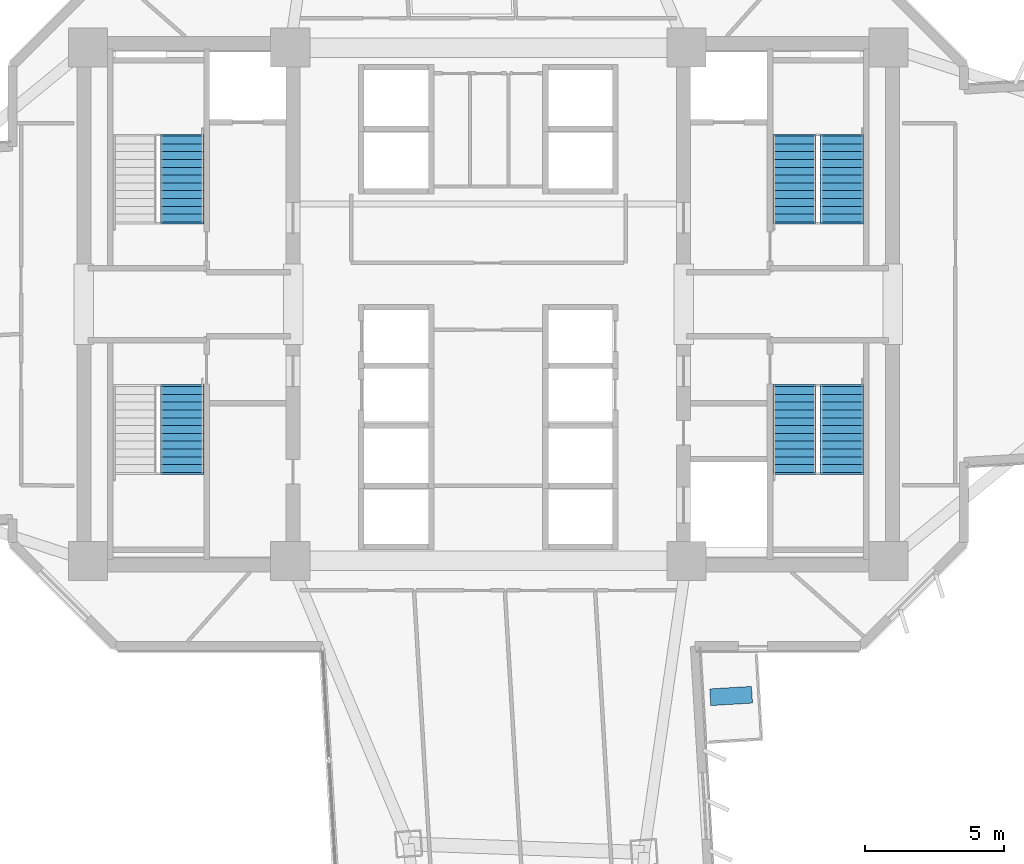
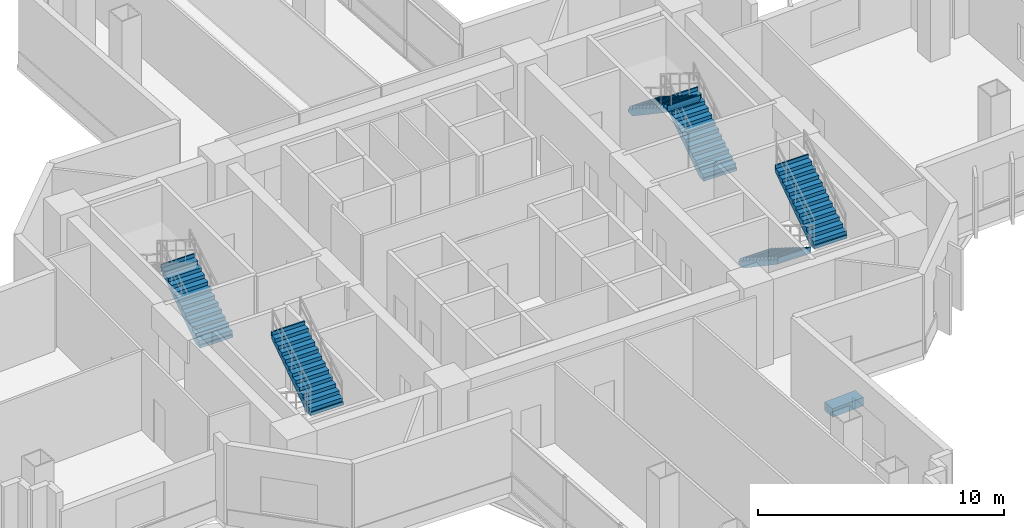
# One storey, part 10 of 15: 6 stair flights, 1 discrete accessory, 4 elements without a shape of their own.
"""IFC4 building model written with IfcOpenShell, lengths in metres."""

import ifcopenshell
import ifcopenshell.guid

model = None  # the IFC model being written
_history = None  # IfcOwnerHistory: only IFC2X3 demands one
_inside = {}  # id of a spatial element -> (the spatial element, [elements in it])
_under = {}  # id of a project, library or spatial element -> (it, [spatial elements below it])
_declared = {}  # id of a project -> (the project, [libraries it declares])
_typed = {}  # id of a type object -> (the type object, [elements of that type])
_made_of = {}  # id of a material, layer set ... -> (it, [elements and type objects made of it])


def new_model(schema):
    """Start an empty IFC model of exactly this schema.

    Asked for "IFC4X3", IfcOpenShell would pick the latest addendum, in which some entities
    have other attributes; the version numbers below select the first issue.
    IFC2X3 requires an IfcOwnerHistory on every rooted entity: one is made here for all.
    """
    global model, _history
    if schema == "IFC4X3":
        model = ifcopenshell.file(schema_version=(4, 3, 0, 0))
    else:
        model = ifcopenshell.file(schema=schema)
    _inside.clear()
    _under.clear()
    _declared.clear()
    _typed.clear()
    _made_of.clear()
    _history = None
    if model.schema == "IFC2X3":
        org = make("IfcOrganization", Name="unknown")
        user = make(
            "IfcPersonAndOrganization",
            ThePerson=make("IfcPerson", FamilyName="unknown"),
            TheOrganization=org,
        )
        app = make(
            "IfcApplication",
            ApplicationDeveloper=org,
            Version="unknown",
            ApplicationFullName="unknown",
            ApplicationIdentifier="unknown",
        )
        _history = make(
            "IfcOwnerHistory",
            OwningUser=user,
            OwningApplication=app,
            ChangeAction="ADDED",
            CreationDate=0,
        )
    return model


def make(cls, **values):
    """One entity of the class cls with the attributes given. An attribute that is None is left unset."""
    return model.create_entity(
        cls, **{name: value for name, value in values.items() if value is not None}
    )


def rooted(cls, **values):
    """An entity with a GlobalId (a new one), such as an element, a storey or a relation."""
    return make(cls, GlobalId=ifcopenshell.guid.new(), OwnerHistory=_history, **values)


def si_unit(unit_type, name, prefix=None):
    """IfcSIUnit, for example si_unit("LENGTHUNIT", "METRE", prefix="MILLI")."""
    return make("IfcSIUnit", UnitType=unit_type, Prefix=prefix, Name=name)


def assignment(units):
    """IfcUnitAssignment: the units of a project."""
    return None if units is None else make("IfcUnitAssignment", Units=units)


def point(xyz):
    """IfcCartesianPoint."""
    return None if xyz is None else make("IfcCartesianPoint", Coordinates=xyz)


def direction(xyz):
    """IfcDirection."""
    return None if xyz is None else make("IfcDirection", DirectionRatios=xyz)


def frame(location, z_axis=None, x_axis=None):
    """IfcAxis2Placement3D, a coordinate frame: its origin and axes. An axis left out is left unset."""
    return make(
        "IfcAxis2Placement3D",
        Location=point(location),
        Axis=direction(z_axis),
        RefDirection=direction(x_axis),
    )


def frame_2d(location, x_axis=None):
    """IfcAxis2Placement2D, a coordinate frame in the plane: its origin and x axis."""
    return make(
        "IfcAxis2Placement2D", Location=point(location), RefDirection=direction(x_axis)
    )


def origin():
    """The frame at (0, 0, 0) with its axes left unset."""
    return frame((0.0, 0.0, 0.0))


def origin_2d():
    """The frame at (0, 0) in the plane with its x axis left unset."""
    return frame_2d((0.0, 0.0))


def place(relative_to, where):
    """IfcLocalPlacement: puts the frame where relative to a parent placement (None: the world)."""
    return make(
        "IfcLocalPlacement", PlacementRelTo=relative_to, RelativePlacement=where
    )


def context(
    kind, dimensions, precision=None, world=None, true_north=None, identifier=None
):
    """IfcGeometricRepresentationContext, for example the 3D "Model" context."""
    return make(
        "IfcGeometricRepresentationContext",
        ContextIdentifier=identifier,
        ContextType=kind,
        CoordinateSpaceDimension=dimensions,
        Precision=precision,
        WorldCoordinateSystem=world,
        TrueNorth=true_north,
    )


def subcontext(parent, identifier, kind, view, scale=None):
    """IfcGeometricRepresentationSubContext, for example "Body" below "Model"."""
    return make(
        "IfcGeometricRepresentationSubContext",
        ContextIdentifier=identifier,
        ContextType=kind,
        ParentContext=parent,
        TargetScale=scale,
        TargetView=view,
    )


def project(units=None, contexts=None):
    """IfcProject with its units and contexts."""
    return rooted(
        "IfcProject",
        Name="project",
        RepresentationContexts=contexts,
        UnitsInContext=assignment(units),
    )


def spatial(cls, under=None, at=None, **own):
    """A site, building, storey or space (cls), placed at a placement, below another one or the project."""
    s = rooted(cls, ObjectPlacement=at, **own)
    if under is not None:
        _under.setdefault(under.id(), (under, []))[1].append(s)
    return s


def polyline(points):
    """IfcPolyline through the points."""
    return make("IfcPolyline", Points=[point(p) for p in points])


def profile(cls, at=None, kind="AREA", **sizes):
    """A parametric profile (cls). Its sizes go by their IFC names, for example OverallWidth=200.0."""
    return make(cls, ProfileType=kind, Position=at, **sizes)


def rectangle(**sizes):
    """IfcRectangleProfileDef."""
    return profile("IfcRectangleProfileDef", **sizes)


def outline(outer, holes=None, kind="AREA"):
    """IfcArbitraryClosedProfileDef: a profile drawn as a closed curve; with holes, ...WithVoids."""
    if holes is None:
        return make("IfcArbitraryClosedProfileDef", ProfileType=kind, OuterCurve=outer)
    return make(
        "IfcArbitraryProfileDefWithVoids",
        ProfileType=kind,
        OuterCurve=outer,
        InnerCurves=holes,
    )


def extrude(swept, where, along, depth):
    """IfcExtrudedAreaSolid: the profile swept, set in the frame where, extruded along a direction by depth."""
    return make(
        "IfcExtrudedAreaSolid",
        SweptArea=swept,
        Position=where,
        ExtrudedDirection=direction(along),
        Depth=depth,
    )


def shape(context_of_items, identifier, shape_type, items):
    """IfcShapeRepresentation: the items that make up one representation, for example the "Body"."""
    return make(
        "IfcShapeRepresentation",
        ContextOfItems=context_of_items,
        RepresentationIdentifier=identifier,
        RepresentationType=shape_type,
        Items=items,
    )


def source(mapping_origin, context_of_items, identifier, shape_type, items):
    """IfcRepresentationMap: a shape defined once, which mapped items show again and again."""
    return make(
        "IfcRepresentationMap",
        MappingOrigin=mapping_origin,
        MappedRepresentation=shape(context_of_items, identifier, shape_type, items),
    )


def transform(
    local_origin,
    x_axis=None,
    y_axis=None,
    z_axis=None,
    scale=None,
    scale2=None,
    scale3=None,
    uniform=True,
):
    """IfcCartesianTransformationOperator3D, or its non-uniform kind. x_axis, y_axis, z_axis: its Axis1, 2, 3."""
    if uniform:
        return make(
            "IfcCartesianTransformationOperator3D",
            Axis1=direction(x_axis),
            Axis2=direction(y_axis),
            LocalOrigin=point(local_origin),
            Scale=scale,
            Axis3=direction(z_axis),
        )
    return make(
        "IfcCartesianTransformationOperator3DnonUniform",
        Axis1=direction(x_axis),
        Axis2=direction(y_axis),
        LocalOrigin=point(local_origin),
        Scale=scale,
        Axis3=direction(z_axis),
        Scale2=scale2,
        Scale3=scale3,
    )


def mapped(mapping_source, mapping_target):
    """IfcMappedItem: shows the shape of a source again, moved by a transform."""
    return make(
        "IfcMappedItem", MappingSource=mapping_source, MappingTarget=mapping_target
    )


def material(Name=None, Category=None):
    """IfcMaterial."""
    return make("IfcMaterial", Name=Name, Category=Category)


def made_of(thing, what):
    """Note that an element or type object is made of a material, layer set ...; save() writes the relation."""
    if what is not None:
        _made_of.setdefault(what.id(), (what, []))[1].append(thing)
    return thing


def type_object(cls, material=None, **own):
    """A type object (cls), such as IfcWallType, which elements share."""
    return made_of(rooted(cls, **own), material)


def element(
    cls,
    number,
    at=None,
    inside=None,
    cuts=None,
    type_object=None,
    material=None,
    context=None,
    identifier="Body",
    shape_type=None,
    held_by="IfcProductDefinitionShape",
    body=None,
    shapes=None,
    **own,
):
    """One element of the class cls, such as IfcWall. Its Tag is "e" and its number.

    at: its placement. inside: the storey or other place that contains it. cuts: it is an
    opening in that element (IfcRelVoidsElement). A single representation is given by context,
    identifier, shape_type and body (its items); several are given by shapes. held_by: the class
    of the entity that holds the representations. save() writes the other relations.
    """
    e = rooted(cls, Tag="e%d" % number, ObjectPlacement=at, **own)
    if body is not None:
        shapes = [shape(context, identifier, shape_type, body)]
    if shapes is not None:
        e.Representation = make(held_by, Representations=shapes)
    if inside is not None:
        _inside.setdefault(inside.id(), (inside, []))[1].append(e)
    if cuts is not None:
        rooted(
            "IfcRelVoidsElement", RelatingBuildingElement=cuts, RelatedOpeningElement=e
        )
    if type_object is not None:
        _typed.setdefault(type_object.id(), (type_object, []))[1].append(e)
    return made_of(e, material)


def aggregate(whole, parts):
    """IfcRelAggregates: a whole, such as a stair, and the parts it consists of."""
    return rooted("IfcRelAggregates", RelatingObject=whole, RelatedObjects=parts)


def save(model, path):
    """Write the relations noted so far, then the file.

    IfcRelAggregates (storeys below a building ...), IfcRelContainedInSpatialStructure (elements
    in a storey), IfcRelDefinesByType, IfcRelAssociatesMaterial and IfcRelDeclares: one each for
    every whole, place, type object, material and project.
    """
    for whole, parts in _under.values():
        aggregate(whole, parts)
    for where, things in _inside.values():
        rooted(
            "IfcRelContainedInSpatialStructure",
            RelatedElements=things,
            RelatingStructure=where,
        )
    for kind, things in _typed.values():
        rooted("IfcRelDefinesByType", RelatedObjects=things, RelatingType=kind)
    for what, things in _made_of.values():
        rooted("IfcRelAssociatesMaterial", RelatedObjects=things, RelatingMaterial=what)
    for by, libraries in _declared.values():
        rooted("IfcRelDeclares", RelatingContext=by, RelatedDefinitions=libraries)
    model.write(path)


model = new_model("IFC4")

# Units and contexts
model_context = context("Model", 3, precision=1e-05, world=origin(), true_north=direction((0.0, 1.0)))
body_context = subcontext(model_context, "Body", "Model", "MODEL_VIEW")
ifc_project = project(units=[si_unit("LENGTHUNIT", "METRE"), si_unit("AREAUNIT", "SQUARE_METRE"), si_unit("VOLUMEUNIT", "CUBIC_METRE"), si_unit("PLANEANGLEUNIT", "RADIAN"), si_unit("MASSUNIT", "GRAM", prefix="KILO")], contexts=[model_context])

# Site, building, storey
site_placement = place(None, origin())
site = spatial("IfcSite", under=ifc_project, at=site_placement, CompositionType="ELEMENT")
building_placement = place(site_placement, origin())
building = spatial("IfcBuilding", under=site, at=building_placement, Name="Zahravan Cultural Tower", CompositionType="ELEMENT")
storey_placement = place(building_placement, frame((0.0, 0.0, 71.10009765625)))
storey = spatial("IfcBuildingStorey", under=building, at=storey_placement, Name="L15", CompositionType="ELEMENT", Elevation=71.10009765625)

# Stair, stair flight
ifc_material_1 = material(Name="Concrete C45/55", Category="concrete")
stair_type = type_object("IfcStairType", Name="STR-DL-1550-420", PredefinedType="HALF_TURN_STAIR", material=ifc_material_1)
stair_1_placement = place(storey_placement, origin())
stair_1 = element("IfcStair", 1, at=stair_1_placement, inside=storey, type_object=stair_type, Name="L15 West Core North Exit Stair ST-W1", PredefinedType="HALF_TURN_STAIR")
stair_flight_type = type_object("IfcStairFlightType", Name="FLG-DL-1550-420", PredefinedType="STRAIGHT", material=ifc_material_1)
stair_flight_1_placement = place(storey_placement, frame((25.02490234375, 29.949951171875, 0.0), z_axis=(0.0, 0.0, 1.0), x_axis=(0.0, 1.0, 0.0)))
stair_flight_1 = element("IfcStairFlight", 2, at=stair_flight_1_placement, type_object=stair_flight_type, Name="ST-W1 flight 1", NumberOfRisers=12, NumberOfTreads=11, PredefinedType="STRAIGHT", RiserHeight=0.175, TreadLength=0.28, context=body_context, shape_type="SweptSolid", body=[
    extrude(outline(polyline([(-0.06494140625, -0.139892578125), (-0.06494140625, 0.0), (0.0, 0.0), (0.0, 0.175048828125), (0.280029296875, 0.175048828125), (0.280029296875, 0.35009765625), (0.56005859375, 0.35009765625), (0.56005859375, 0.52490234375), (0.840087890625, 0.52490234375), (0.840087890625, 0.699951171875), (1.1201171875, 0.699951171875), (1.1201171875, 0.875), (1.39990234375, 0.875), (1.39990234375, 1.050048828125), (1.679931640625, 1.050048828125), (1.679931640625, 1.22509765625), (1.9599609375, 1.22509765625), (1.9599609375, 1.39990234375), (2.239990234375, 1.39990234375), (2.239990234375, 1.574951171875), (2.52001953125, 1.574951171875), (2.52001953125, 1.75), (2.800048828125, 1.75), (2.800048828125, 1.925048828125), (3.080078125, 1.925048828125), (3.080078125, 2.10009765625), (3.14501953125, 2.10009765625), (3.14501953125, 1.9501953125), (3.080078125, 1.748291015625), (0.28271484375, -0.139892578125), (-0.06494140625, -0.139892578125)])), frame((0.0, 0.77490234375, 0.0), z_axis=(0.0, -1.0, 0.0), x_axis=(1.0, 0.0, 0.0)), (0.0, 0.0, 1.0), 1.550048828125),
])
aggregate(stair_1, [stair_flight_1])

stair_2_placement = place(storey_placement, origin())
stair_2 = element("IfcStair", 3, at=stair_2_placement, inside=storey, type_object=stair_type, Name="L15 West Core South Exit Stair ST-W2", PredefinedType="HALF_TURN_STAIR")
stair_flight_2_placement = place(storey_placement, frame((25.02490234375, 20.969970703125, 2.099853515625), z_axis=(0.0, 0.0, 1.0), x_axis=(0.0, 1.0, 0.0)))
stair_flight_2 = element("IfcStairFlight", 4, at=stair_flight_2_placement, type_object=stair_flight_type, Name="ST-W2 flight 2", NumberOfRisers=12, NumberOfTreads=11, PredefinedType="STRAIGHT", RiserHeight=0.175, TreadLength=0.28, context=body_context, shape_type="SweptSolid", body=[
    extrude(outline(polyline([(-0.06494140625, -0.139892578125), (-0.06494140625, 0.0), (0.0, 0.0), (0.0, 0.175048828125), (0.280029296875, 0.175048828125), (0.280029296875, 0.35009765625), (0.56005859375, 0.35009765625), (0.56005859375, 0.52490234375), (0.840087890625, 0.52490234375), (0.840087890625, 0.699951171875), (1.1201171875, 0.699951171875), (1.1201171875, 0.875), (1.39990234375, 0.875), (1.39990234375, 1.050048828125), (1.679931640625, 1.050048828125), (1.679931640625, 1.22509765625), (1.9599609375, 1.22509765625), (1.9599609375, 1.39990234375), (2.239990234375, 1.39990234375), (2.239990234375, 1.574951171875), (2.52001953125, 1.574951171875), (2.52001953125, 1.75), (2.800048828125, 1.75), (2.800048828125, 1.925048828125), (3.080078125, 1.925048828125), (3.080078125, 2.10009765625), (3.14501953125, 2.10009765625), (3.14501953125, 1.9501953125), (3.080078125, 1.748291015625), (0.28271484375, -0.139892578125), (-0.06494140625, -0.139892578125)])), frame((0.0, 0.77490234375, 0.0), z_axis=(0.0, -1.0, 0.0), x_axis=(1.0, 0.0, 0.0)), (0.0, 0.0, 1.0), 1.550048828125),
])
aggregate(stair_2, [stair_flight_2])

# Stair, stair flights
stair_3_placement = place(storey_placement, origin())
stair_3 = element("IfcStair", 5, at=stair_3_placement, inside=storey, type_object=stair_type, Name="L15 East Core North Exit Stair ST-E1", PredefinedType="HALF_TURN_STAIR")
stair_flight_3_placement = place(storey_placement, frame((48.675048828125, 29.949951171875, 0.0), z_axis=(0.0, 0.0, 1.0), x_axis=(0.0, 1.0, 0.0)))
stair_flight_3 = element("IfcStairFlight", 6, at=stair_flight_3_placement, type_object=stair_flight_type, Name="ST-E1 flight 1", NumberOfRisers=12, NumberOfTreads=11, PredefinedType="STRAIGHT", RiserHeight=0.175, TreadLength=0.28, context=body_context, shape_type="SweptSolid", body=[
    extrude(outline(polyline([(-0.06494140625, -0.139892578125), (-0.06494140625, 0.0), (0.0, 0.0), (0.0, 0.175048828125), (0.280029296875, 0.175048828125), (0.280029296875, 0.35009765625), (0.56005859375, 0.35009765625), (0.56005859375, 0.52490234375), (0.840087890625, 0.52490234375), (0.840087890625, 0.699951171875), (1.1201171875, 0.699951171875), (1.1201171875, 0.875), (1.39990234375, 0.875), (1.39990234375, 1.050048828125), (1.679931640625, 1.050048828125), (1.679931640625, 1.22509765625), (1.9599609375, 1.22509765625), (1.9599609375, 1.39990234375), (2.239990234375, 1.39990234375), (2.239990234375, 1.574951171875), (2.52001953125, 1.574951171875), (2.52001953125, 1.75), (2.800048828125, 1.75), (2.800048828125, 1.925048828125), (3.080078125, 1.925048828125), (3.080078125, 2.10009765625), (3.14501953125, 2.10009765625), (3.14501953125, 1.9501953125), (3.080078125, 1.748291015625), (0.28271484375, -0.139892578125), (-0.06494140625, -0.139892578125)])), frame((0.0, 0.77490234375, 0.0), z_axis=(0.0, -1.0, 0.0), x_axis=(1.0, 0.0, 0.0)), (0.0, 0.0, 1.0), 1.550048828125),
])
stair_flight_4_placement = place(storey_placement, frame((46.97509765625, 33.030029296875, 2.099853515625), z_axis=(0.0, 0.0, 1.0), x_axis=(0.0, -1.0, 0.0)))
stair_flight_4 = element("IfcStairFlight", 7, at=stair_flight_4_placement, type_object=stair_flight_type, Name="ST-E1 flight 2", NumberOfRisers=12, NumberOfTreads=11, PredefinedType="STRAIGHT", RiserHeight=0.175, TreadLength=0.28, context=body_context, shape_type="SweptSolid", body=[
    extrude(outline(polyline([(-0.06494140625, -0.139892578125), (-0.06494140625, 0.0), (0.0, 0.0), (0.0, 0.175048828125), (0.280029296875, 0.175048828125), (0.280029296875, 0.35009765625), (0.56005859375, 0.35009765625), (0.56005859375, 0.52490234375), (0.840087890625, 0.52490234375), (0.840087890625, 0.699951171875), (1.1201171875, 0.699951171875), (1.1201171875, 0.875), (1.39990234375, 0.875), (1.39990234375, 1.050048828125), (1.679931640625, 1.050048828125), (1.679931640625, 1.22509765625), (1.9599609375, 1.22509765625), (1.9599609375, 1.39990234375), (2.239990234375, 1.39990234375), (2.239990234375, 1.574951171875), (2.52001953125, 1.574951171875), (2.52001953125, 1.75), (2.800048828125, 1.75), (2.800048828125, 1.925048828125), (3.080078125, 1.925048828125), (3.080078125, 2.10009765625), (3.14501953125, 2.10009765625), (3.14501953125, 1.9501953125), (3.080078125, 1.748291015625), (0.28271484375, -0.139892578125), (-0.06494140625, -0.139892578125)])), frame((0.0, 0.77490234375, 0.0), z_axis=(0.0, -1.0, 0.0), x_axis=(1.0, 0.0, 0.0)), (0.0, 0.0, 1.0), 1.550048828125),
])
aggregate(stair_3, [stair_flight_3, stair_flight_4])

stair_4_placement = place(storey_placement, origin())
stair_4 = element("IfcStair", 8, at=stair_4_placement, inside=storey, type_object=stair_type, Name="L15 East Core South Exit Stair ST-E2", PredefinedType="HALF_TURN_STAIR")
stair_flight_5_placement = place(storey_placement, frame((46.97509765625, 24.050048828125, 0.0), z_axis=(0.0, 0.0, 1.0), x_axis=(0.0, -1.0, 0.0)))
stair_flight_5 = element("IfcStairFlight", 9, at=stair_flight_5_placement, type_object=stair_flight_type, Name="ST-E2 flight 1", NumberOfRisers=12, NumberOfTreads=11, PredefinedType="STRAIGHT", RiserHeight=0.175, TreadLength=0.28, context=body_context, shape_type="SweptSolid", body=[
    extrude(outline(polyline([(-0.06494140625, -0.139892578125), (-0.06494140625, 0.0), (0.0, 0.0), (0.0, 0.175048828125), (0.280029296875, 0.175048828125), (0.280029296875, 0.35009765625), (0.56005859375, 0.35009765625), (0.56005859375, 0.52490234375), (0.840087890625, 0.52490234375), (0.840087890625, 0.699951171875), (1.1201171875, 0.699951171875), (1.1201171875, 0.875), (1.39990234375, 0.875), (1.39990234375, 1.050048828125), (1.679931640625, 1.050048828125), (1.679931640625, 1.22509765625), (1.9599609375, 1.22509765625), (1.9599609375, 1.39990234375), (2.239990234375, 1.39990234375), (2.239990234375, 1.574951171875), (2.52001953125, 1.574951171875), (2.52001953125, 1.75), (2.800048828125, 1.75), (2.800048828125, 1.925048828125), (3.080078125, 1.925048828125), (3.080078125, 2.10009765625), (3.14501953125, 2.10009765625), (3.14501953125, 1.9501953125), (3.080078125, 1.748291015625), (0.28271484375, -0.139892578125), (-0.06494140625, -0.139892578125)])), frame((0.0, 0.77490234375, 0.0), z_axis=(0.0, -1.0, 0.0), x_axis=(1.0, 0.0, 0.0)), (0.0, 0.0, 1.0), 1.550048828125),
])
stair_flight_6_placement = place(storey_placement, frame((48.675048828125, 20.969970703125, 2.099853515625), z_axis=(0.0, 0.0, 1.0), x_axis=(0.0, 1.0, 0.0)))
stair_flight_6 = element("IfcStairFlight", 10, at=stair_flight_6_placement, type_object=stair_flight_type, Name="ST-E2 flight 2", NumberOfRisers=12, NumberOfTreads=11, PredefinedType="STRAIGHT", RiserHeight=0.175, TreadLength=0.28, context=body_context, shape_type="SweptSolid", body=[
    extrude(outline(polyline([(-0.06494140625, -0.139892578125), (-0.06494140625, 0.0), (0.0, 0.0), (0.0, 0.175048828125), (0.280029296875, 0.175048828125), (0.280029296875, 0.35009765625), (0.56005859375, 0.35009765625), (0.56005859375, 0.52490234375), (0.840087890625, 0.52490234375), (0.840087890625, 0.699951171875), (1.1201171875, 0.699951171875), (1.1201171875, 0.875), (1.39990234375, 0.875), (1.39990234375, 1.050048828125), (1.679931640625, 1.050048828125), (1.679931640625, 1.22509765625), (1.9599609375, 1.22509765625), (1.9599609375, 1.39990234375), (2.239990234375, 1.39990234375), (2.239990234375, 1.574951171875), (2.52001953125, 1.574951171875), (2.52001953125, 1.75), (2.800048828125, 1.75), (2.800048828125, 1.925048828125), (3.080078125, 1.925048828125), (3.080078125, 2.10009765625), (3.14501953125, 2.10009765625), (3.14501953125, 1.9501953125), (3.080078125, 1.748291015625), (0.28271484375, -0.139892578125), (-0.06494140625, -0.139892578125)])), frame((0.0, 0.77490234375, 0.0), z_axis=(0.0, -1.0, 0.0), x_axis=(1.0, 0.0, 0.0)), (0.0, 0.0, 1.0), 1.550048828125),
])
aggregate(stair_4, [stair_flight_5, stair_flight_6])

# Discrete accessory
ifc_material_2 = material(Name="Planted soil and terracotta planter", Category="masonry")
discrete_accessory_type = type_object("IfcDiscreteAccessoryType", Name="ACC-PLANTER-TC", PredefinedType="USERDEFINED", material=ifc_material_2)
shared_shape = source(origin(), body_context, "Body", "SweptSolid", [
    extrude(rectangle(XDim=1.5, YDim=0.60009765625, at=origin_2d()), origin(), (0.0, 0.0, 1.0), 0.419921875),
])
discrete_accessory_placement = place(storey_placement, frame((44.705810546875, 12.954345703125, 0.0), z_axis=(0.0, 0.0, 1.0), x_axis=(0.998219065278, 0.05965482139, 0.0)))
element("IfcDiscreteAccessory", 11, at=discrete_accessory_placement, inside=storey, type_object=discrete_accessory_type, Name="L15 Terracotta Sculpture Planter SE", ObjectType="PLANTER", PredefinedType="USERDEFINED", context=body_context, shape_type="MappedRepresentation", body=[
    mapped(shared_shape, transform((0.0, 0.0, 0.0), x_axis=(1.0, 0.0, 0.0), y_axis=(0.0, 1.0, 0.0), z_axis=(0.0, 0.0, 1.0), scale=1.0)),
])

save(model, "model.ifc")
